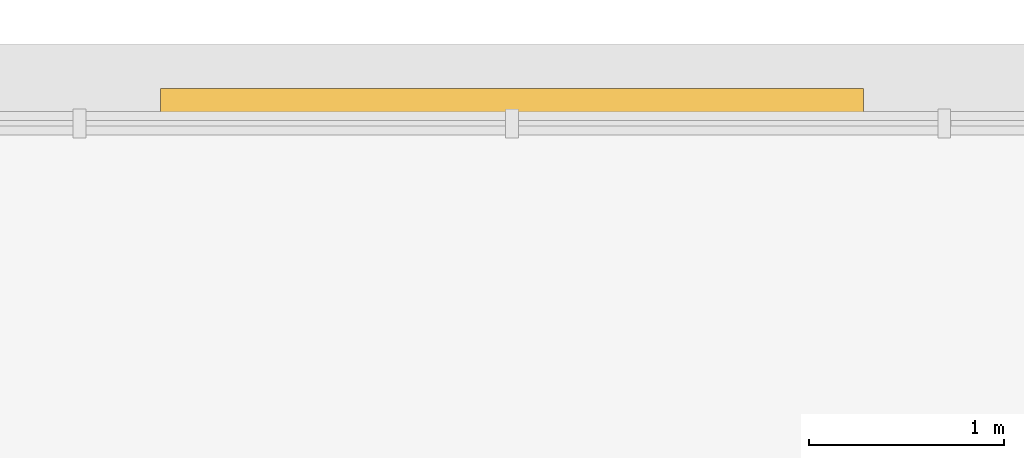
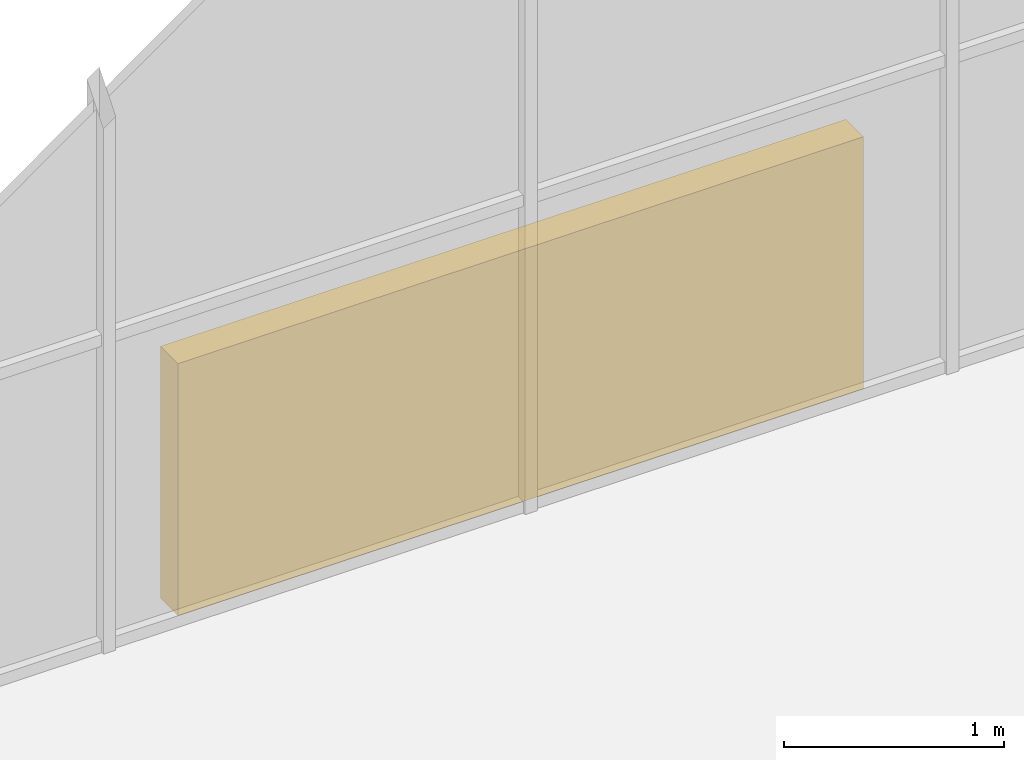
# One storey, part 92 of 92: 1 shading device.
"""IFC4 building model written with IfcOpenShell, lengths in metres."""

import ifcopenshell
import ifcopenshell.guid

model = None  # the IFC model being written
_history = None  # IfcOwnerHistory: only IFC2X3 demands one
_inside = {}  # id of a spatial element -> (the spatial element, [elements in it])
_under = {}  # id of a project, library or spatial element -> (it, [spatial elements below it])
_declared = {}  # id of a project -> (the project, [libraries it declares])
_typed = {}  # id of a type object -> (the type object, [elements of that type])
_made_of = {}  # id of a material, layer set ... -> (it, [elements and type objects made of it])


def new_model(schema):
    """Start an empty IFC model of exactly this schema.

    Asked for "IFC4X3", IfcOpenShell would pick the latest addendum, in which some entities
    have other attributes; the version numbers below select the first issue.
    IFC2X3 requires an IfcOwnerHistory on every rooted entity: one is made here for all.
    """
    global model, _history
    if schema == "IFC4X3":
        model = ifcopenshell.file(schema_version=(4, 3, 0, 0))
    else:
        model = ifcopenshell.file(schema=schema)
    _inside.clear()
    _under.clear()
    _declared.clear()
    _typed.clear()
    _made_of.clear()
    _history = None
    if model.schema == "IFC2X3":
        org = make("IfcOrganization", Name="unknown")
        user = make(
            "IfcPersonAndOrganization",
            ThePerson=make("IfcPerson", FamilyName="unknown"),
            TheOrganization=org,
        )
        app = make(
            "IfcApplication",
            ApplicationDeveloper=org,
            Version="unknown",
            ApplicationFullName="unknown",
            ApplicationIdentifier="unknown",
        )
        _history = make(
            "IfcOwnerHistory",
            OwningUser=user,
            OwningApplication=app,
            ChangeAction="ADDED",
            CreationDate=0,
        )
    return model


def make(cls, **values):
    """One entity of the class cls with the attributes given. An attribute that is None is left unset."""
    return model.create_entity(
        cls, **{name: value for name, value in values.items() if value is not None}
    )


def rooted(cls, **values):
    """An entity with a GlobalId (a new one), such as an element, a storey or a relation."""
    return make(cls, GlobalId=ifcopenshell.guid.new(), OwnerHistory=_history, **values)


def si_unit(unit_type, name, prefix=None):
    """IfcSIUnit, for example si_unit("LENGTHUNIT", "METRE", prefix="MILLI")."""
    return make("IfcSIUnit", UnitType=unit_type, Prefix=prefix, Name=name)


def assignment(units):
    """IfcUnitAssignment: the units of a project."""
    return None if units is None else make("IfcUnitAssignment", Units=units)


def point(xyz):
    """IfcCartesianPoint."""
    return None if xyz is None else make("IfcCartesianPoint", Coordinates=xyz)


def direction(xyz):
    """IfcDirection."""
    return None if xyz is None else make("IfcDirection", DirectionRatios=xyz)


def frame(location, z_axis=None, x_axis=None):
    """IfcAxis2Placement3D, a coordinate frame: its origin and axes. An axis left out is left unset."""
    return make(
        "IfcAxis2Placement3D",
        Location=point(location),
        Axis=direction(z_axis),
        RefDirection=direction(x_axis),
    )


def frame_2d(location, x_axis=None):
    """IfcAxis2Placement2D, a coordinate frame in the plane: its origin and x axis."""
    return make(
        "IfcAxis2Placement2D", Location=point(location), RefDirection=direction(x_axis)
    )


def origin():
    """The frame at (0, 0, 0) with its axes left unset."""
    return frame((0.0, 0.0, 0.0))


def origin_2d():
    """The frame at (0, 0) in the plane with its x axis left unset."""
    return frame_2d((0.0, 0.0))


def place(relative_to, where):
    """IfcLocalPlacement: puts the frame where relative to a parent placement (None: the world)."""
    return make(
        "IfcLocalPlacement", PlacementRelTo=relative_to, RelativePlacement=where
    )


def context(
    kind, dimensions, precision=None, world=None, true_north=None, identifier=None
):
    """IfcGeometricRepresentationContext, for example the 3D "Model" context."""
    return make(
        "IfcGeometricRepresentationContext",
        ContextIdentifier=identifier,
        ContextType=kind,
        CoordinateSpaceDimension=dimensions,
        Precision=precision,
        WorldCoordinateSystem=world,
        TrueNorth=true_north,
    )


def subcontext(parent, identifier, kind, view, scale=None):
    """IfcGeometricRepresentationSubContext, for example "Body" below "Model"."""
    return make(
        "IfcGeometricRepresentationSubContext",
        ContextIdentifier=identifier,
        ContextType=kind,
        ParentContext=parent,
        TargetScale=scale,
        TargetView=view,
    )


def project(units=None, contexts=None):
    """IfcProject with its units and contexts."""
    return rooted(
        "IfcProject",
        Name="project",
        RepresentationContexts=contexts,
        UnitsInContext=assignment(units),
    )


def spatial(cls, under=None, at=None, **own):
    """A site, building, storey or space (cls), placed at a placement, below another one or the project."""
    s = rooted(cls, ObjectPlacement=at, **own)
    if under is not None:
        _under.setdefault(under.id(), (under, []))[1].append(s)
    return s


def profile(cls, at=None, kind="AREA", **sizes):
    """A parametric profile (cls). Its sizes go by their IFC names, for example OverallWidth=200.0."""
    return make(cls, ProfileType=kind, Position=at, **sizes)


def rectangle(**sizes):
    """IfcRectangleProfileDef."""
    return profile("IfcRectangleProfileDef", **sizes)


def extrude(swept, where, along, depth):
    """IfcExtrudedAreaSolid: the profile swept, set in the frame where, extruded along a direction by depth."""
    return make(
        "IfcExtrudedAreaSolid",
        SweptArea=swept,
        Position=where,
        ExtrudedDirection=direction(along),
        Depth=depth,
    )


def shape(context_of_items, identifier, shape_type, items):
    """IfcShapeRepresentation: the items that make up one representation, for example the "Body"."""
    return make(
        "IfcShapeRepresentation",
        ContextOfItems=context_of_items,
        RepresentationIdentifier=identifier,
        RepresentationType=shape_type,
        Items=items,
    )


def material(Name=None, Category=None):
    """IfcMaterial."""
    return make("IfcMaterial", Name=Name, Category=Category)


def made_of(thing, what):
    """Note that an element or type object is made of a material, layer set ...; save() writes the relation."""
    if what is not None:
        _made_of.setdefault(what.id(), (what, []))[1].append(thing)
    return thing


def type_object(cls, material=None, **own):
    """A type object (cls), such as IfcWallType, which elements share."""
    return made_of(rooted(cls, **own), material)


def element(
    cls,
    number,
    at=None,
    inside=None,
    cuts=None,
    type_object=None,
    material=None,
    context=None,
    identifier="Body",
    shape_type=None,
    held_by="IfcProductDefinitionShape",
    body=None,
    shapes=None,
    **own,
):
    """One element of the class cls, such as IfcWall. Its Tag is "e" and its number.

    at: its placement. inside: the storey or other place that contains it. cuts: it is an
    opening in that element (IfcRelVoidsElement). A single representation is given by context,
    identifier, shape_type and body (its items); several are given by shapes. held_by: the class
    of the entity that holds the representations. save() writes the other relations.
    """
    e = rooted(cls, Tag="e%d" % number, ObjectPlacement=at, **own)
    if body is not None:
        shapes = [shape(context, identifier, shape_type, body)]
    if shapes is not None:
        e.Representation = make(held_by, Representations=shapes)
    if inside is not None:
        _inside.setdefault(inside.id(), (inside, []))[1].append(e)
    if cuts is not None:
        rooted(
            "IfcRelVoidsElement", RelatingBuildingElement=cuts, RelatedOpeningElement=e
        )
    if type_object is not None:
        _typed.setdefault(type_object.id(), (type_object, []))[1].append(e)
    return made_of(e, material)


def aggregate(whole, parts):
    """IfcRelAggregates: a whole, such as a stair, and the parts it consists of."""
    return rooted("IfcRelAggregates", RelatingObject=whole, RelatedObjects=parts)


def save(model, path):
    """Write the relations noted so far, then the file.

    IfcRelAggregates (storeys below a building ...), IfcRelContainedInSpatialStructure (elements
    in a storey), IfcRelDefinesByType, IfcRelAssociatesMaterial and IfcRelDeclares: one each for
    every whole, place, type object, material and project.
    """
    for whole, parts in _under.values():
        aggregate(whole, parts)
    for where, things in _inside.values():
        rooted(
            "IfcRelContainedInSpatialStructure",
            RelatedElements=things,
            RelatingStructure=where,
        )
    for kind, things in _typed.values():
        rooted("IfcRelDefinesByType", RelatedObjects=things, RelatingType=kind)
    for what, things in _made_of.values():
        rooted("IfcRelAssociatesMaterial", RelatedObjects=things, RelatingMaterial=what)
    for by, libraries in _declared.values():
        rooted("IfcRelDeclares", RelatingContext=by, RelatedDefinitions=libraries)
    model.write(path)


model = new_model("IFC4")

# Units and contexts
model_context = context("Model", 3, precision=1e-05, world=origin(), true_north=direction((0.0, 1.0)))
body_context = subcontext(model_context, "Body", "Model", "MODEL_VIEW")
ifc_project = project(units=[si_unit("LENGTHUNIT", "METRE"), si_unit("AREAUNIT", "SQUARE_METRE"), si_unit("VOLUMEUNIT", "CUBIC_METRE"), si_unit("PLANEANGLEUNIT", "RADIAN"), si_unit("MASSUNIT", "GRAM", prefix="KILO")], contexts=[model_context])

# Site, building, storey
site_placement = place(None, origin())
site = spatial("IfcSite", under=ifc_project, at=site_placement, CompositionType="ELEMENT")
building_placement = place(site_placement, origin())
building = spatial("IfcBuilding", under=site, at=building_placement, Name="Caelomonte Colonnade Arena", CompositionType="ELEMENT")
storey_placement = place(building_placement, frame((0.0, 0.0, 9.60009765625)))
storey = spatial("IfcBuildingStorey", under=building, at=storey_placement, Name="L02", CompositionType="ELEMENT", Elevation=9.60009765625)

# Shading device
ifc_material = material(Name="Bronze anodised aluminium AA6063-T6", Category="aluminium")
shading_device_type = type_object("IfcShadingDeviceType", Name="ENV-SD-LOUV1", PredefinedType="JALOUSIE", material=ifc_material)
shading_device_placement = place(storey_placement, frame((177.60009765625, 143.919921875, 0.0), z_axis=(0.0, 0.0, 1.0), x_axis=(1.0, 0.0, 0.0)))
element("IfcShadingDevice", 1, at=shading_device_placement, inside=storey, type_object=shading_device_type, Name="Courtyard solar shading louvre LV-06", PredefinedType="JALOUSIE", context=body_context, shape_type="SweptSolid", body=[
    extrude(rectangle(XDim=3.60009765625, YDim=0.159912109375, at=origin_2d()), origin(), (0.0, 0.0, 1.0), 1.39990234375),
])

save(model, "model.ifc")
